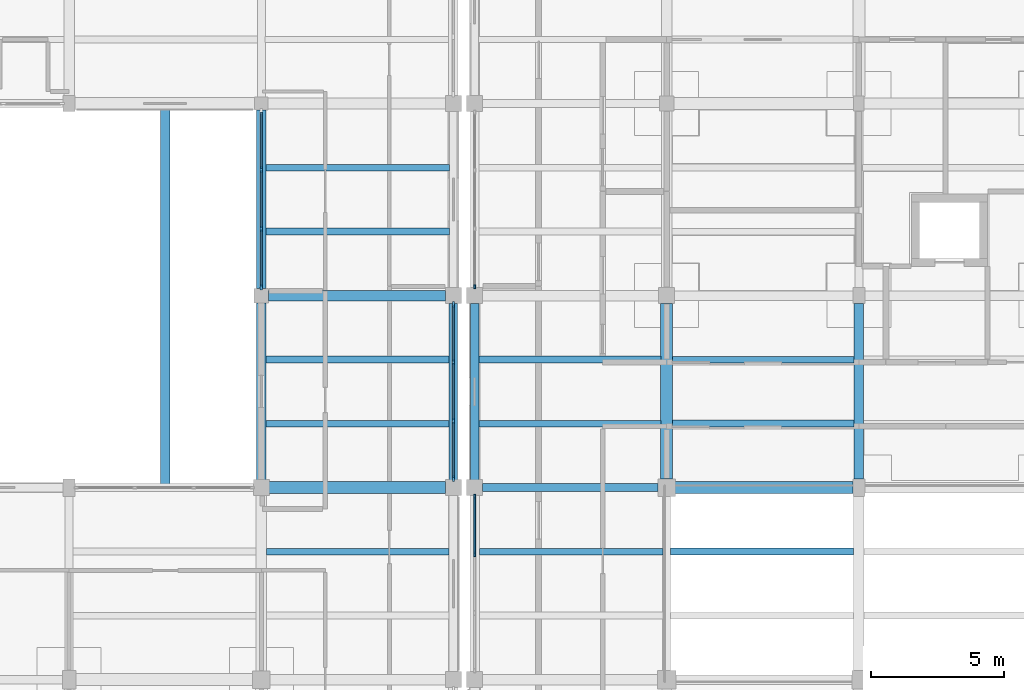
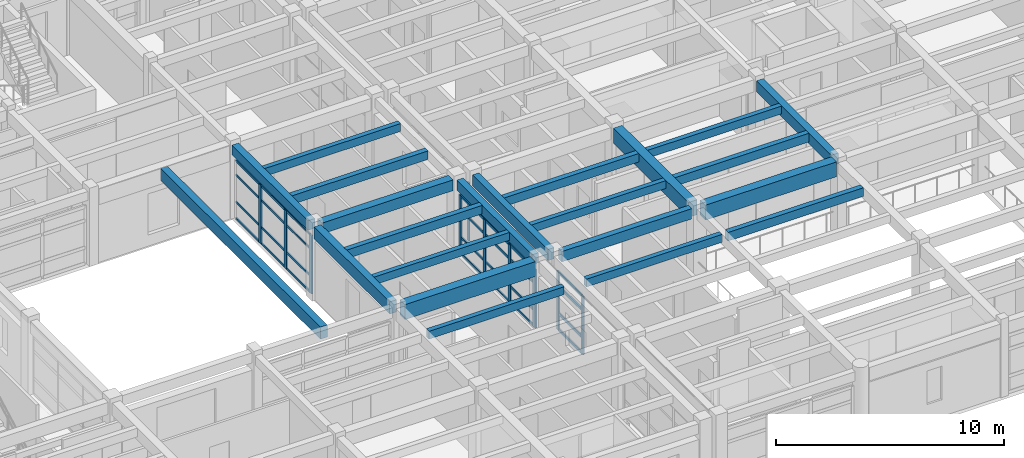
# One storey, part 39 of 110: 38 members, 22 beams, 4 elements without a shape of their own.
"""IFC4 building model written with IfcOpenShell, lengths in metres."""

from ifc_helpers import new_model, si_unit, direction, frame, origin, origin_2d, place, context, subcontext, project, spatial, rectangle, extrude, material, material_profile, profile_set, type_object, element, aggregate, save


model = new_model("IFC4")

# Units and contexts
model_context = context("Model", 3, precision=1e-05, world=origin(), true_north=direction((0.0, 1.0)))
body_context = subcontext(model_context, "Body", "Model", "MODEL_VIEW")
ifc_project = project(units=[si_unit("LENGTHUNIT", "METRE"), si_unit("AREAUNIT", "SQUARE_METRE"), si_unit("VOLUMEUNIT", "CUBIC_METRE"), si_unit("PLANEANGLEUNIT", "RADIAN"), si_unit("MASSUNIT", "GRAM", prefix="KILO")], contexts=[model_context])

# Site, building, storey
site_placement = place(None, origin())
site = spatial("IfcSite", under=ifc_project, at=site_placement, CompositionType="ELEMENT")
building_placement = place(site_placement, origin())
building = spatial("IfcBuilding", under=site, at=building_placement, Name="Steenspoor Specialist Clinic", CompositionType="ELEMENT")
storey_placement = place(building_placement, frame((0.0, 0.0, 4.800048828125)))
storey = spatial("IfcBuildingStorey", under=building, at=storey_placement, Name="L01", CompositionType="ELEMENT", Elevation=4.800048828125)

# Beams
ifc_material_1 = material(Name="Concrete C35/45", Category="concrete")
ifc_material_profile_1 = material_profile(ifc_material_1, rectangle(XDim=0.300048828125, YDim=0.550048828125, at=origin_2d()), Name="RC-BM-300X550")
ifc_profile_set_1 = profile_set([ifc_material_profile_1], Name="Concrete C35/45")
beam_type_1 = type_object("IfcBeamType", Name="BM-RC-300X550", PredefinedType="BEAM", material=ifc_profile_set_1)
beam_1_placement = place(storey_placement, frame((118.294921875, 79.550048828125, 3.675048828125), z_axis=(1.0, 0.0, 0.0), x_axis=(0.0, 1.0, 0.0)))
element("IfcBeam", 1, at=beam_1_placement, inside=storey, type_object=beam_type_1, Name="BM-V6-L01-X1488", PredefinedType="BEAM", context=body_context, shape_type="SweptSolid", body=[
    extrude(rectangle(XDim=0.300048828125, YDim=0.550048828125, at=origin_2d()), origin(), (0.0, 0.0, 1.0), 6.5849609375),
])
ifc_material_profile_2 = material_profile(ifc_material_1, rectangle(XDim=0.35009765625, YDim=0.52001953125, at=origin_2d()), Name="RC-BM-350X520")
ifc_profile_set_2 = profile_set([ifc_material_profile_2], Name="Concrete C35/45")
beam_type_2 = type_object("IfcBeamType", Name="BM-RC-350X520", PredefinedType="BEAM", material=ifc_profile_set_2)
beam_2_placement = place(storey_placement, frame((110.0, 87.02001953125, 3.68994140625), z_axis=(0.0, 1.0, 0.0), x_axis=(-1.0, 0.0, 0.0)))
element("IfcBeam", 2, at=beam_2_placement, inside=storey, type_object=beam_type_2, Name="BM-V4-L01-Y0564", PredefinedType="BEAM", context=body_context, shape_type="SweptSolid", body=[
    extrude(rectangle(XDim=0.35009765625, YDim=0.52001953125, at=origin_2d()), origin(), (0.0, 0.0, 1.0), 6.68505859375),
])
ifc_material_profile_3 = material_profile(ifc_material_1, rectangle(XDim=0.35009765625, YDim=0.580078125, at=origin_2d()), Name="RC-BM-350X580")
ifc_profile_set_3 = profile_set([ifc_material_profile_3], Name="Concrete C35/45")
beam_type_3 = type_object("IfcBeamType", Name="BM-RC-350X580", PredefinedType="BEAM", material=ifc_profile_set_3)
beam_3_placement = place(storey_placement, frame((132.39990234375, 79.8701171875, 3.659912109375), z_axis=(0.0, 1.0, 0.0), x_axis=(-1.0, 0.0, 0.0)))
element("IfcBeam", 3, at=beam_3_placement, inside=storey, type_object=beam_type_3, Name="BM-V6-L01-Y1524", PredefinedType="BEAM", context=body_context, shape_type="SweptSolid", body=[
    extrude(rectangle(XDim=0.35009765625, YDim=0.580078125, at=origin_2d()), origin(), (0.0, 0.0, 1.0), 6.5849609375),
])
ifc_material_profile_4 = material_profile(ifc_material_1, rectangle(XDim=0.35009765625, YDim=0.64990234375, at=origin_2d()), Name="RC-BM-350X650")
ifc_profile_set_4 = profile_set([ifc_material_profile_4], Name="Concrete C35/45")
beam_type_4 = type_object("IfcBeamType", Name="BM-RC-350X650", PredefinedType="BEAM", material=ifc_profile_set_4)
beam_4_placement = place(storey_placement, frame((110.0, 79.844970703125, 3.625), z_axis=(0.0, 1.0, 0.0), x_axis=(-1.0, 0.0, 0.0)))
element("IfcBeam", 4, at=beam_4_placement, inside=storey, type_object=beam_type_4, Name="BM-V4-L01-Y0563", PredefinedType="BEAM", context=body_context, shape_type="SweptSolid", body=[
    extrude(rectangle(XDim=0.35009765625, YDim=0.64990234375, at=origin_2d()), origin(), (0.0, 0.0, 1.0), 6.635009765625),
])
beam_5_placement = place(storey_placement, frame((106.39990234375, 79.695068359375, 3.625), z_axis=(0.0, 1.0, 0.0), x_axis=(-1.0, 0.0, 0.0)))
element("IfcBeam", 5, at=beam_5_placement, inside=storey, type_object=beam_type_4, Name="JT-V4-L01-0627", PredefinedType="BEAM", context=body_context, shape_type="SweptSolid", body=[
    extrude(rectangle(XDim=0.35009765625, YDim=0.64990234375, at=origin_2d()), origin(), (0.0, 0.0, 1.0), 14.034912109375),
])
ifc_material_profile_5 = material_profile(ifc_material_1, rectangle(XDim=0.39990234375, YDim=0.580078125, at=origin_2d()), Name="RC-BM-400X580")
ifc_profile_set_5 = profile_set([ifc_material_profile_5], Name="Concrete C35/45")
beam_type_5 = type_object("IfcBeamType", Name="BM-RC-400X580", PredefinedType="BEAM", material=ifc_profile_set_5)
beam_6_placement = place(storey_placement, frame((110.27001953125, 86.75, 3.659912109375), z_axis=(1.0, 0.0, 0.0), x_axis=(0.0, 1.0, 0.0)))
element("IfcBeam", 6, at=beam_6_placement, inside=storey, type_object=beam_type_5, Name="BM-V4-L01-X0496", PredefinedType="BEAM", context=body_context, shape_type="SweptSolid", body=[
    extrude(rectangle(XDim=0.39990234375, YDim=0.580078125, at=origin_2d()), origin(), (0.0, 0.0, 1.0), 6.635009765625),
])
ifc_material_profile_6 = material_profile(ifc_material_1, rectangle(XDim=0.449951171875, YDim=0.800048828125, at=origin_2d()), Name="RC-BM-450X800")
ifc_profile_set_6 = profile_set([ifc_material_profile_6], Name="Concrete C35/45")
beam_type_6 = type_object("IfcBeamType", Name="BM-RC-450X800", PredefinedType="BEAM", material=ifc_profile_set_6)
beam_7_placement = place(storey_placement, frame((110.294921875, 79.550048828125, 3.550048828125), z_axis=(1.0, 0.0, 0.0), x_axis=(0.0, 1.0, 0.0)))
element("IfcBeam", 7, at=beam_7_placement, inside=storey, type_object=beam_type_6, Name="BM-V4-L01-X0492", PredefinedType="BEAM", context=body_context, shape_type="SweptSolid", body=[
    extrude(rectangle(XDim=0.449951171875, YDim=0.800048828125, at=origin_2d()), origin(), (0.0, 0.0, 1.0), 6.610107421875),
])
beam_8_placement = place(storey_placement, frame((125.52001953125, 79.550048828125, 3.550048828125), z_axis=(1.0, 0.0, 0.0), x_axis=(0.0, 1.0, 0.0)))
element("IfcBeam", 8, at=beam_8_placement, inside=storey, type_object=beam_type_6, Name="BM-V6-L01-X1489", PredefinedType="BEAM", context=body_context, shape_type="SweptSolid", body=[
    extrude(rectangle(XDim=0.449951171875, YDim=0.800048828125, at=origin_2d()), origin(), (0.0, 0.0, 1.0), 6.659912109375),
])
beam_9_placement = place(storey_placement, frame((125.199951171875, 79.8701171875, 3.550048828125), z_axis=(0.0, 1.0, 0.0), x_axis=(-1.0, 0.0, 0.0)))
element("IfcBeam", 9, at=beam_9_placement, inside=storey, type_object=beam_type_6, Name="BM-V6-L01-Y1518", PredefinedType="BEAM", context=body_context, shape_type="SweptSolid", body=[
    extrude(rectangle(XDim=0.449951171875, YDim=0.800048828125, at=origin_2d()), origin(), (0.0, 0.0, 1.0), 6.5849609375),
])

# Curtain wall, member
ifc_material_2 = material(Name="Thermally broken aluminium and low-emissivity glass", Category="aluminium")
curtain_wall_type_1 = type_object("IfcCurtainWallType", Name="CW-TYP-660X355", PredefinedType="USERDEFINED", material=ifc_material_2)
curtain_wall_1_placement = place(storey_placement, origin())
curtain_wall_1 = element("IfcCurtainWall", 10, at=curtain_wall_1_placement, inside=storey, type_object=curtain_wall_type_1, Name="Unitised Curtain Wall CW-V6-L01-177", ObjectType="UNITISED GLAZING", PredefinedType="USERDEFINED")
ifc_material_3 = material(Name="Thermally broken aluminium 6063-T6", Category="aluminium")
ifc_material_profile_7 = material_profile(ifc_material_3, rectangle(XDim=0.06494140625, YDim=0.14990234375, at=origin_2d()), Name="CWM-65X150")
ifc_profile_set_7 = profile_set([ifc_material_profile_7], Name="Thermally broken aluminium 6063-T6")
member_type_1 = type_object("IfcMemberType", Name="CW-MULL-65X150", PredefinedType="MULLION", material=ifc_profile_set_7)
member_1_placement = place(storey_placement, frame((118.0, 87.08251953125, 0.0), z_axis=(0.0, 0.0, 1.0), x_axis=(-1.0, 0.0, 0.0)))
member_1 = element("IfcMember", 11, at=member_1_placement, type_object=member_type_1, Name="CW-09 mullion 1", PredefinedType="MULLION", context=body_context, shape_type="SweptSolid", body=[
    extrude(rectangle(XDim=0.06494140625, YDim=0.14990234375, at=origin_2d()), origin(), (0.0, 0.0, 1.0), 3.1298828125),
])
aggregate(curtain_wall_1, [member_1])

# Curtain wall, members
curtain_wall_type_2 = type_object("IfcCurtainWallType", Name="CW-L00-240X415", PredefinedType="USERDEFINED", material=ifc_material_2)
curtain_wall_2_placement = place(storey_placement, origin())
curtain_wall_2 = element("IfcCurtainWall", 12, at=curtain_wall_2_placement, inside=storey, type_object=curtain_wall_type_2, Name="Unitised Curtain Wall CW-V6-L01-176", ObjectType="UNITISED GLAZING", PredefinedType="USERDEFINED")
ifc_material_profile_8 = material_profile(ifc_material_3, rectangle(XDim=0.070068359375, YDim=0.1650390625, at=origin_2d()), Name="CWM-70X165")
ifc_profile_set_8 = profile_set([ifc_material_profile_8], Name="Thermally broken aluminium 6063-T6")
member_type_2 = type_object("IfcMemberType", Name="CW-MULL-70X165", PredefinedType="MULLION", material=ifc_profile_set_8)
member_2_placement = place(storey_placement, frame((118.0, 77.050048828125, 0.0), z_axis=(0.0, 0.0, 1.0), x_axis=(-1.0, 0.0, 0.0)))
member_2 = element("IfcMember", 13, at=member_2_placement, type_object=member_type_2, Name="CW-08 mullion 3", PredefinedType="MULLION", context=body_context, shape_type="SweptSolid", body=[
    extrude(rectangle(XDim=0.070068359375, YDim=0.1650390625, at=origin_2d()), origin(), (0.0, 0.0, 1.0), 3.1298828125),
])
member_3_placement = place(storey_placement, frame((118.0, 79.215087890625, 0.0), z_axis=(0.0, 0.0, 1.0), x_axis=(-1.0, 0.0, 0.0)))
member_3 = element("IfcMember", 14, at=member_3_placement, type_object=member_type_2, Name="CW-08 mullion 4", PredefinedType="MULLION", context=body_context, shape_type="SweptSolid", body=[
    extrude(rectangle(XDim=0.070068359375, YDim=0.1650390625, at=origin_2d()), origin(), (0.0, 0.0, 1.0), 3.1298828125),
])

curtain_wall_type_3 = type_object("IfcCurtainWallType", Name="CW-STR-220X415", PredefinedType="USERDEFINED", material=ifc_material_2)
curtain_wall_3_placement = place(storey_placement, origin())
curtain_wall_3 = element("IfcCurtainWall", 15, at=curtain_wall_3_placement, inside=storey, type_object=curtain_wall_type_3, Name="Unitised Curtain Wall CW-V4-L01-072", ObjectType="UNITISED GLAZING", PredefinedType="USERDEFINED")
ifc_material_profile_9 = material_profile(ifc_material_3, rectangle(XDim=0.080078125, YDim=0.219970703125, at=origin_2d()), Name="CWM-80X220")
ifc_profile_set_9 = profile_set([ifc_material_profile_9], Name="Thermally broken aluminium 6063-T6")
member_type_3 = type_object("IfcMemberType", Name="CW-MULL-80X220", PredefinedType="MULLION", material=ifc_profile_set_9)
member_4_placement = place(storey_placement, frame((117.199951171875, 86.409912109375, 0.0), z_axis=(0.0, 0.0, 1.0), x_axis=(1.0, 0.0, 0.0)))
member_4 = element("IfcMember", 16, at=member_4_placement, type_object=member_type_3, Name="CW-24 mullion 1", PredefinedType="MULLION", context=body_context, shape_type="SweptSolid", body=[
    extrude(rectangle(XDim=0.080078125, YDim=0.219970703125, at=origin_2d()), origin(), (0.0, 0.0, 1.0), 3.1298828125),
])
member_5_placement = place(storey_placement, frame((117.199951171875, 84.25, 0.0), z_axis=(0.0, 0.0, 1.0), x_axis=(1.0, 0.0, 0.0)))
member_5 = element("IfcMember", 17, at=member_5_placement, type_object=member_type_3, Name="CW-24 mullion 2", PredefinedType="MULLION", context=body_context, shape_type="SweptSolid", body=[
    extrude(rectangle(XDim=0.080078125, YDim=0.219970703125, at=origin_2d()), origin(), (0.0, 0.0, 1.0), 3.1298828125),
])
member_6_placement = place(storey_placement, frame((117.199951171875, 82.050048828125, 0.0), z_axis=(0.0, 0.0, 1.0), x_axis=(1.0, 0.0, 0.0)))
member_6 = element("IfcMember", 18, at=member_6_placement, type_object=member_type_3, Name="CW-24 mullion 3", PredefinedType="MULLION", context=body_context, shape_type="SweptSolid", body=[
    extrude(rectangle(XDim=0.080078125, YDim=0.219970703125, at=origin_2d()), origin(), (0.0, 0.0, 1.0), 3.1298828125),
])
member_7_placement = place(storey_placement, frame((117.199951171875, 79.889892578125, 0.0), z_axis=(0.0, 0.0, 1.0), x_axis=(1.0, 0.0, 0.0)))
member_7 = element("IfcMember", 19, at=member_7_placement, type_object=member_type_3, Name="CW-24 mullion 4", PredefinedType="MULLION", context=body_context, shape_type="SweptSolid", body=[
    extrude(rectangle(XDim=0.080078125, YDim=0.219970703125, at=origin_2d()), origin(), (0.0, 0.0, 1.0), 3.1298828125),
])

curtain_wall_type_4 = type_object("IfcCurtainWallType", Name="CW-L00-480X415", PredefinedType="USERDEFINED", material=ifc_material_2)
curtain_wall_4_placement = place(storey_placement, origin())
curtain_wall_4 = element("IfcCurtainWall", 20, at=curtain_wall_4_placement, inside=storey, type_object=curtain_wall_type_4, Name="Unitised Curtain Wall CW-V4-L01-078", ObjectType="UNITISED GLAZING", PredefinedType="USERDEFINED")
member_8_placement = place(storey_placement, frame((110.0, 87.06494140625, 0.0), z_axis=(0.0, 0.0, 1.0), x_axis=(-1.0, 0.0, 0.0)))
member_8 = element("IfcMember", 21, at=member_8_placement, type_object=member_type_3, Name="CW-06 mullion 1", PredefinedType="MULLION", context=body_context, shape_type="SweptSolid", body=[
    extrude(rectangle(XDim=0.080078125, YDim=0.219970703125, at=origin_2d()), origin(), (0.0, 0.0, 1.0), 3.1298828125),
])
member_9_placement = place(storey_placement, frame((110.0, 89.25, 0.0), z_axis=(0.0, 0.0, 1.0), x_axis=(-1.0, 0.0, 0.0)))
member_9 = element("IfcMember", 22, at=member_9_placement, type_object=member_type_3, Name="CW-06 mullion 2", PredefinedType="MULLION", context=body_context, shape_type="SweptSolid", body=[
    extrude(rectangle(XDim=0.080078125, YDim=0.219970703125, at=origin_2d()), origin(), (0.0, 0.0, 1.0), 3.1298828125),
])
member_10_placement = place(storey_placement, frame((110.0, 91.47509765625, 0.0), z_axis=(0.0, 0.0, 1.0), x_axis=(-1.0, 0.0, 0.0)))
member_10 = element("IfcMember", 23, at=member_10_placement, type_object=member_type_3, Name="CW-06 mullion 3", PredefinedType="MULLION", context=body_context, shape_type="SweptSolid", body=[
    extrude(rectangle(XDim=0.080078125, YDim=0.219970703125, at=origin_2d()), origin(), (0.0, 0.0, 1.0), 3.1298828125),
])
ifc_material_profile_10 = material_profile(ifc_material_3, rectangle(XDim=0.06005859375, YDim=0.114990234375, at=origin_2d()), Name="CWT-60X115")
ifc_profile_set_10 = profile_set([ifc_material_profile_10], Name="Thermally broken aluminium 6063-T6")
member_type_4 = type_object("IfcMemberType", Name="CW-TRAN-60X115", PredefinedType="USERDEFINED", material=ifc_profile_set_10)
member_11_placement = place(storey_placement, frame((110.0, 87.10498046875, 0.030029296875), z_axis=(0.0, 1.0, 0.0), x_axis=(-1.0, 0.0, 0.0)))
member_11 = element("IfcMember", 24, at=member_11_placement, type_object=member_type_4, Name="CW-06 transom 1.1", ObjectType="TRANSOM", PredefinedType="USERDEFINED", context=body_context, shape_type="SweptSolid", body=[
    extrude(rectangle(XDim=0.06005859375, YDim=0.114990234375, at=origin_2d()), origin(), (0.0, 0.0, 1.0), 2.10498046875),
])
member_12_placement = place(storey_placement, frame((110.0, 87.10498046875, 0.89990234375), z_axis=(0.0, 1.0, 0.0), x_axis=(-1.0, 0.0, 0.0)))
member_12 = element("IfcMember", 25, at=member_12_placement, type_object=member_type_4, Name="CW-06 transom 1.2", ObjectType="TRANSOM", PredefinedType="USERDEFINED", context=body_context, shape_type="SweptSolid", body=[
    extrude(rectangle(XDim=0.06005859375, YDim=0.114990234375, at=origin_2d()), origin(), (0.0, 0.0, 1.0), 2.10498046875),
])
member_13_placement = place(storey_placement, frame((110.0, 87.10498046875, 2.349853515625), z_axis=(0.0, 1.0, 0.0), x_axis=(-1.0, 0.0, 0.0)))
member_13 = element("IfcMember", 26, at=member_13_placement, type_object=member_type_4, Name="CW-06 transom 1.3", ObjectType="TRANSOM", PredefinedType="USERDEFINED", context=body_context, shape_type="SweptSolid", body=[
    extrude(rectangle(XDim=0.06005859375, YDim=0.114990234375, at=origin_2d()), origin(), (0.0, 0.0, 1.0), 2.10498046875),
])
member_14_placement = place(storey_placement, frame((110.0, 87.10498046875, 3.099853515625), z_axis=(0.0, 1.0, 0.0), x_axis=(-1.0, 0.0, 0.0)))
member_14 = element("IfcMember", 27, at=member_14_placement, type_object=member_type_4, Name="CW-06 transom 1.4", ObjectType="TRANSOM", PredefinedType="USERDEFINED", context=body_context, shape_type="SweptSolid", body=[
    extrude(rectangle(XDim=0.06005859375, YDim=0.114990234375, at=origin_2d()), origin(), (0.0, 0.0, 1.0), 2.10498046875),
])
member_15_placement = place(storey_placement, frame((110.0, 89.2900390625, 0.030029296875), z_axis=(0.0, 1.0, 0.0), x_axis=(-1.0, 0.0, 0.0)))
member_15 = element("IfcMember", 28, at=member_15_placement, type_object=member_type_4, Name="CW-06 transom 2.1", ObjectType="TRANSOM", PredefinedType="USERDEFINED", context=body_context, shape_type="SweptSolid", body=[
    extrude(rectangle(XDim=0.06005859375, YDim=0.114990234375, at=origin_2d()), origin(), (0.0, 0.0, 1.0), 2.14501953125),
])
member_16_placement = place(storey_placement, frame((110.0, 89.2900390625, 0.89990234375), z_axis=(0.0, 1.0, 0.0), x_axis=(-1.0, 0.0, 0.0)))
member_16 = element("IfcMember", 29, at=member_16_placement, type_object=member_type_4, Name="CW-06 transom 2.2", ObjectType="TRANSOM", PredefinedType="USERDEFINED", context=body_context, shape_type="SweptSolid", body=[
    extrude(rectangle(XDim=0.06005859375, YDim=0.114990234375, at=origin_2d()), origin(), (0.0, 0.0, 1.0), 2.14501953125),
])
member_17_placement = place(storey_placement, frame((110.0, 89.2900390625, 2.349853515625), z_axis=(0.0, 1.0, 0.0), x_axis=(-1.0, 0.0, 0.0)))
member_17 = element("IfcMember", 30, at=member_17_placement, type_object=member_type_4, Name="CW-06 transom 2.3", ObjectType="TRANSOM", PredefinedType="USERDEFINED", context=body_context, shape_type="SweptSolid", body=[
    extrude(rectangle(XDim=0.06005859375, YDim=0.114990234375, at=origin_2d()), origin(), (0.0, 0.0, 1.0), 2.14501953125),
])
member_18_placement = place(storey_placement, frame((110.0, 89.2900390625, 3.099853515625), z_axis=(0.0, 1.0, 0.0), x_axis=(-1.0, 0.0, 0.0)))
member_18 = element("IfcMember", 31, at=member_18_placement, type_object=member_type_4, Name="CW-06 transom 2.4", ObjectType="TRANSOM", PredefinedType="USERDEFINED", context=body_context, shape_type="SweptSolid", body=[
    extrude(rectangle(XDim=0.06005859375, YDim=0.114990234375, at=origin_2d()), origin(), (0.0, 0.0, 1.0), 2.14501953125),
])
member_19_placement = place(storey_placement, frame((110.0, 91.514892578125, 0.030029296875), z_axis=(0.0, 1.0, 0.0), x_axis=(-1.0, 0.0, 0.0)))
member_19 = element("IfcMember", 32, at=member_19_placement, type_object=member_type_4, Name="CW-06 transom 3.1", ObjectType="TRANSOM", PredefinedType="USERDEFINED", context=body_context, shape_type="SweptSolid", body=[
    extrude(rectangle(XDim=0.06005859375, YDim=0.114990234375, at=origin_2d()), origin(), (0.0, 0.0, 1.0), 2.105224609375),
])
member_20_placement = place(storey_placement, frame((110.0, 91.514892578125, 0.89990234375), z_axis=(0.0, 1.0, 0.0), x_axis=(-1.0, 0.0, 0.0)))
member_20 = element("IfcMember", 33, at=member_20_placement, type_object=member_type_4, Name="CW-06 transom 3.2", ObjectType="TRANSOM", PredefinedType="USERDEFINED", context=body_context, shape_type="SweptSolid", body=[
    extrude(rectangle(XDim=0.06005859375, YDim=0.114990234375, at=origin_2d()), origin(), (0.0, 0.0, 1.0), 2.105224609375),
])
member_21_placement = place(storey_placement, frame((110.0, 91.514892578125, 2.349853515625), z_axis=(0.0, 1.0, 0.0), x_axis=(-1.0, 0.0, 0.0)))
member_21 = element("IfcMember", 34, at=member_21_placement, type_object=member_type_4, Name="CW-06 transom 3.3", ObjectType="TRANSOM", PredefinedType="USERDEFINED", context=body_context, shape_type="SweptSolid", body=[
    extrude(rectangle(XDim=0.06005859375, YDim=0.114990234375, at=origin_2d()), origin(), (0.0, 0.0, 1.0), 2.105224609375),
])
member_22_placement = place(storey_placement, frame((110.0, 91.514892578125, 3.099853515625), z_axis=(0.0, 1.0, 0.0), x_axis=(-1.0, 0.0, 0.0)))
member_22 = element("IfcMember", 35, at=member_22_placement, type_object=member_type_4, Name="CW-06 transom 3.4", ObjectType="TRANSOM", PredefinedType="USERDEFINED", context=body_context, shape_type="SweptSolid", body=[
    extrude(rectangle(XDim=0.06005859375, YDim=0.114990234375, at=origin_2d()), origin(), (0.0, 0.0, 1.0), 2.105224609375),
])
aggregate(curtain_wall_4, [member_8, member_9, member_10, member_11, member_12, member_13, member_14, member_15, member_16, member_17, member_18, member_19, member_20, member_21, member_22])

# Member
ifc_material_profile_11 = material_profile(ifc_material_3, rectangle(XDim=0.06494140625, YDim=0.1298828125, at=origin_2d()), Name="CWT-65X130")
ifc_profile_set_11 = profile_set([ifc_material_profile_11], Name="Thermally broken aluminium 6063-T6")
member_type_5 = type_object("IfcMemberType", Name="CW-TRAN-65X130", PredefinedType="USERDEFINED", material=ifc_profile_set_11)
member_23_placement = place(storey_placement, frame((117.199951171875, 86.3701171875, 0.032470703125), z_axis=(0.0, -1.0, 0.0), x_axis=(1.0, 0.0, 0.0)))
member_23 = element("IfcMember", 36, at=member_23_placement, type_object=member_type_5, Name="CW-24 transom 1.1", ObjectType="TRANSOM", PredefinedType="USERDEFINED", context=body_context, shape_type="SweptSolid", body=[
    extrude(rectangle(XDim=0.06494140625, YDim=0.1298828125, at=origin_2d()), origin(), (0.0, 0.0, 1.0), 2.080078125),
])

member_24_placement = place(storey_placement, frame((117.199951171875, 86.3701171875, 0.89990234375), z_axis=(0.0, -1.0, 0.0), x_axis=(1.0, 0.0, 0.0)))
member_24 = element("IfcMember", 37, at=member_24_placement, type_object=member_type_5, Name="CW-24 transom 1.2", ObjectType="TRANSOM", PredefinedType="USERDEFINED", context=body_context, shape_type="SweptSolid", body=[
    extrude(rectangle(XDim=0.06494140625, YDim=0.1298828125, at=origin_2d()), origin(), (0.0, 0.0, 1.0), 2.080078125),
])

member_25_placement = place(storey_placement, frame((117.199951171875, 86.3701171875, 2.349853515625), z_axis=(0.0, -1.0, 0.0), x_axis=(1.0, 0.0, 0.0)))
member_25 = element("IfcMember", 38, at=member_25_placement, type_object=member_type_5, Name="CW-24 transom 1.3", ObjectType="TRANSOM", PredefinedType="USERDEFINED", context=body_context, shape_type="SweptSolid", body=[
    extrude(rectangle(XDim=0.06494140625, YDim=0.1298828125, at=origin_2d()), origin(), (0.0, 0.0, 1.0), 2.080078125),
])

member_26_placement = place(storey_placement, frame((117.199951171875, 86.3701171875, 3.097412109375), z_axis=(0.0, -1.0, 0.0), x_axis=(1.0, 0.0, 0.0)))
member_26 = element("IfcMember", 39, at=member_26_placement, type_object=member_type_5, Name="CW-24 transom 1.4", ObjectType="TRANSOM", PredefinedType="USERDEFINED", context=body_context, shape_type="SweptSolid", body=[
    extrude(rectangle(XDim=0.06494140625, YDim=0.1298828125, at=origin_2d()), origin(), (0.0, 0.0, 1.0), 2.080078125),
])

member_27_placement = place(storey_placement, frame((117.199951171875, 84.2099609375, 0.032470703125), z_axis=(0.0, -1.0, 0.0), x_axis=(1.0, 0.0, 0.0)))
member_27 = element("IfcMember", 40, at=member_27_placement, type_object=member_type_5, Name="CW-24 transom 2.1", ObjectType="TRANSOM", PredefinedType="USERDEFINED", context=body_context, shape_type="SweptSolid", body=[
    extrude(rectangle(XDim=0.06494140625, YDim=0.1298828125, at=origin_2d()), origin(), (0.0, 0.0, 1.0), 2.119873046875),
])

member_28_placement = place(storey_placement, frame((117.199951171875, 84.2099609375, 0.89990234375), z_axis=(0.0, -1.0, 0.0), x_axis=(1.0, 0.0, 0.0)))
member_28 = element("IfcMember", 41, at=member_28_placement, type_object=member_type_5, Name="CW-24 transom 2.2", ObjectType="TRANSOM", PredefinedType="USERDEFINED", context=body_context, shape_type="SweptSolid", body=[
    extrude(rectangle(XDim=0.06494140625, YDim=0.1298828125, at=origin_2d()), origin(), (0.0, 0.0, 1.0), 2.119873046875),
])

member_29_placement = place(storey_placement, frame((117.199951171875, 84.2099609375, 2.349853515625), z_axis=(0.0, -1.0, 0.0), x_axis=(1.0, 0.0, 0.0)))
member_29 = element("IfcMember", 42, at=member_29_placement, type_object=member_type_5, Name="CW-24 transom 2.3", ObjectType="TRANSOM", PredefinedType="USERDEFINED", context=body_context, shape_type="SweptSolid", body=[
    extrude(rectangle(XDim=0.06494140625, YDim=0.1298828125, at=origin_2d()), origin(), (0.0, 0.0, 1.0), 2.119873046875),
])

member_30_placement = place(storey_placement, frame((117.199951171875, 84.2099609375, 3.097412109375), z_axis=(0.0, -1.0, 0.0), x_axis=(1.0, 0.0, 0.0)))
member_30 = element("IfcMember", 43, at=member_30_placement, type_object=member_type_5, Name="CW-24 transom 2.4", ObjectType="TRANSOM", PredefinedType="USERDEFINED", context=body_context, shape_type="SweptSolid", body=[
    extrude(rectangle(XDim=0.06494140625, YDim=0.1298828125, at=origin_2d()), origin(), (0.0, 0.0, 1.0), 2.119873046875),
])

member_31_placement = place(storey_placement, frame((117.199951171875, 82.010009765625, 0.032470703125), z_axis=(0.0, -1.0, 0.0), x_axis=(1.0, 0.0, 0.0)))
member_31 = element("IfcMember", 44, at=member_31_placement, type_object=member_type_5, Name="CW-24 transom 3.1", ObjectType="TRANSOM", PredefinedType="USERDEFINED", context=body_context, shape_type="SweptSolid", body=[
    extrude(rectangle(XDim=0.06494140625, YDim=0.1298828125, at=origin_2d()), origin(), (0.0, 0.0, 1.0), 2.080078125),
])

member_32_placement = place(storey_placement, frame((117.199951171875, 82.010009765625, 0.89990234375), z_axis=(0.0, -1.0, 0.0), x_axis=(1.0, 0.0, 0.0)))
member_32 = element("IfcMember", 45, at=member_32_placement, type_object=member_type_5, Name="CW-24 transom 3.2", ObjectType="TRANSOM", PredefinedType="USERDEFINED", context=body_context, shape_type="SweptSolid", body=[
    extrude(rectangle(XDim=0.06494140625, YDim=0.1298828125, at=origin_2d()), origin(), (0.0, 0.0, 1.0), 2.080078125),
])

member_33_placement = place(storey_placement, frame((117.199951171875, 82.010009765625, 2.349853515625), z_axis=(0.0, -1.0, 0.0), x_axis=(1.0, 0.0, 0.0)))
member_33 = element("IfcMember", 46, at=member_33_placement, type_object=member_type_5, Name="CW-24 transom 3.3", ObjectType="TRANSOM", PredefinedType="USERDEFINED", context=body_context, shape_type="SweptSolid", body=[
    extrude(rectangle(XDim=0.06494140625, YDim=0.1298828125, at=origin_2d()), origin(), (0.0, 0.0, 1.0), 2.080078125),
])

member_34_placement = place(storey_placement, frame((117.199951171875, 82.010009765625, 3.097412109375), z_axis=(0.0, -1.0, 0.0), x_axis=(1.0, 0.0, 0.0)))
member_34 = element("IfcMember", 47, at=member_34_placement, type_object=member_type_5, Name="CW-24 transom 3.4", ObjectType="TRANSOM", PredefinedType="USERDEFINED", context=body_context, shape_type="SweptSolid", body=[
    extrude(rectangle(XDim=0.06494140625, YDim=0.1298828125, at=origin_2d()), origin(), (0.0, 0.0, 1.0), 2.080078125),
])

aggregate(curtain_wall_3, [member_4, member_5, member_6, member_7, member_23, member_24, member_25, member_26, member_27, member_28, member_29, member_30, member_31, member_32, member_33, member_34])

ifc_material_profile_12 = material_profile(ifc_material_3, rectangle(XDim=0.070068359375, YDim=0.14501953125, at=origin_2d()), Name="CWT-70X145")
ifc_profile_set_12 = profile_set([ifc_material_profile_12], Name="Thermally broken aluminium 6063-T6")
member_type_6 = type_object("IfcMemberType", Name="CW-TRAN-70X145", PredefinedType="USERDEFINED", material=ifc_profile_set_12)
member_35_placement = place(storey_placement, frame((118.0, 77.0849609375, 0.034912109375), z_axis=(0.0, 1.0, 0.0), x_axis=(-1.0, 0.0, 0.0)))
member_35 = element("IfcMember", 48, at=member_35_placement, type_object=member_type_6, Name="CW-08 transom 3.1", ObjectType="TRANSOM", PredefinedType="USERDEFINED", context=body_context, shape_type="SweptSolid", body=[
    extrude(rectangle(XDim=0.070068359375, YDim=0.14501953125, at=origin_2d()), origin(), (0.0, 0.0, 1.0), 2.094970703125),
])

member_36_placement = place(storey_placement, frame((118.0, 77.0849609375, 0.89990234375), z_axis=(0.0, 1.0, 0.0), x_axis=(-1.0, 0.0, 0.0)))
member_36 = element("IfcMember", 49, at=member_36_placement, type_object=member_type_6, Name="CW-08 transom 3.2", ObjectType="TRANSOM", PredefinedType="USERDEFINED", context=body_context, shape_type="SweptSolid", body=[
    extrude(rectangle(XDim=0.070068359375, YDim=0.14501953125, at=origin_2d()), origin(), (0.0, 0.0, 1.0), 2.094970703125),
])

member_37_placement = place(storey_placement, frame((118.0, 77.0849609375, 2.349853515625), z_axis=(0.0, 1.0, 0.0), x_axis=(-1.0, 0.0, 0.0)))
member_37 = element("IfcMember", 50, at=member_37_placement, type_object=member_type_6, Name="CW-08 transom 3.3", ObjectType="TRANSOM", PredefinedType="USERDEFINED", context=body_context, shape_type="SweptSolid", body=[
    extrude(rectangle(XDim=0.070068359375, YDim=0.14501953125, at=origin_2d()), origin(), (0.0, 0.0, 1.0), 2.094970703125),
])

member_38_placement = place(storey_placement, frame((118.0, 77.0849609375, 3.094970703125), z_axis=(0.0, 1.0, 0.0), x_axis=(-1.0, 0.0, 0.0)))
member_38 = element("IfcMember", 51, at=member_38_placement, type_object=member_type_6, Name="CW-08 transom 3.4", ObjectType="TRANSOM", PredefinedType="USERDEFINED", context=body_context, shape_type="SweptSolid", body=[
    extrude(rectangle(XDim=0.070068359375, YDim=0.14501953125, at=origin_2d()), origin(), (0.0, 0.0, 1.0), 2.094970703125),
])

aggregate(curtain_wall_2, [member_2, member_3, member_35, member_36, member_37, member_38])

# Beams
ifc_material_profile_13 = material_profile(ifc_material_1, rectangle(XDim=0.239990234375, YDim=0.419921875, at=origin_2d()), Name="RC-JT-240X420")
ifc_profile_set_13 = profile_set([ifc_material_profile_13], Name="Concrete C35/45")
beam_type_7 = type_object("IfcBeamType", Name="JT-RC-240X420", PredefinedType="JOIST", material=ifc_profile_set_13)
beam_10_placement = place(storey_placement, frame((110.195068359375, 77.14990234375, 3.739990234375), z_axis=(1.0, 0.0, 0.0), x_axis=(0.0, 1.0, 0.0)))
element("IfcBeam", 52, at=beam_10_placement, inside=storey, type_object=beam_type_7, Name="JT-V4-L01-0633", PredefinedType="JOIST", context=body_context, shape_type="SweptSolid", body=[
    extrude(rectangle(XDim=0.239990234375, YDim=0.419921875, at=origin_2d()), origin(), (0.0, 0.0, 1.0), 6.849853515625),
])
beam_11_placement = place(storey_placement, frame((110.169921875, 81.949951171875, 3.739990234375), z_axis=(1.0, 0.0, 0.0), x_axis=(0.0, 1.0, 0.0)))
element("IfcBeam", 53, at=beam_11_placement, inside=storey, type_object=beam_type_7, Name="JT-V4-L01-0634", PredefinedType="JOIST", context=body_context, shape_type="SweptSolid", body=[
    extrude(rectangle(XDim=0.239990234375, YDim=0.419921875, at=origin_2d()), origin(), (0.0, 0.0, 1.0), 6.875),
])
beam_12_placement = place(storey_placement, frame((110.169921875, 91.550048828125, 3.739990234375), z_axis=(1.0, 0.0, 0.0), x_axis=(0.0, 1.0, 0.0)))
element("IfcBeam", 54, at=beam_12_placement, inside=storey, type_object=beam_type_7, Name="JT-V4-L01-0637", PredefinedType="JOIST", context=body_context, shape_type="SweptSolid", body=[
    extrude(rectangle(XDim=0.239990234375, YDim=0.419921875, at=origin_2d()), origin(), (0.0, 0.0, 1.0), 6.89501953125),
])
beam_13_placement = place(storey_placement, frame((118.175048828125, 77.14990234375, 3.739990234375), z_axis=(1.0, 0.0, 0.0), x_axis=(0.0, 1.0, 0.0)))
element("IfcBeam", 55, at=beam_13_placement, inside=storey, type_object=beam_type_7, Name="JT-V6-L01-1547", PredefinedType="JOIST", context=body_context, shape_type="SweptSolid", body=[
    extrude(rectangle(XDim=0.239990234375, YDim=0.419921875, at=origin_2d()), origin(), (0.0, 0.0, 1.0), 6.8798828125),
])
beam_14_placement = place(storey_placement, frame((118.155029296875, 81.949951171875, 3.739990234375), z_axis=(1.0, 0.0, 0.0), x_axis=(0.0, 1.0, 0.0)))
element("IfcBeam", 56, at=beam_14_placement, inside=storey, type_object=beam_type_7, Name="JT-V6-L01-1548", PredefinedType="JOIST", context=body_context, shape_type="SweptSolid", body=[
    extrude(rectangle(XDim=0.239990234375, YDim=0.419921875, at=origin_2d()), origin(), (0.0, 0.0, 1.0), 6.824951171875),
])
beam_15_placement = place(storey_placement, frame((125.419921875, 84.35009765625, 3.739990234375), z_axis=(1.0, 0.0, 0.0), x_axis=(0.0, 1.0, 0.0)))
element("IfcBeam", 57, at=beam_15_placement, inside=storey, type_object=beam_type_7, Name="JT-V6-L01-1561", PredefinedType="JOIST", context=body_context, shape_type="SweptSolid", body=[
    extrude(rectangle(XDim=0.239990234375, YDim=0.419921875, at=origin_2d()), origin(), (0.0, 0.0, 1.0), 6.81005859375),
])
ifc_material_profile_14 = material_profile(ifc_material_1, rectangle(XDim=0.260009765625, YDim=0.4599609375, at=origin_2d()), Name="RC-JT-260X460")
ifc_profile_set_14 = profile_set([ifc_material_profile_14], Name="Concrete C35/45")
beam_type_8 = type_object("IfcBeamType", Name="JT-RC-260X460", PredefinedType="JOIST", material=ifc_profile_set_14)
beam_16_placement = place(storey_placement, frame((110.169921875, 84.35009765625, 3.719970703125), z_axis=(1.0, 0.0, 0.0), x_axis=(0.0, 1.0, 0.0)))
element("IfcBeam", 58, at=beam_16_placement, inside=storey, type_object=beam_type_8, Name="JT-V4-L01-0635", PredefinedType="JOIST", context=body_context, shape_type="SweptSolid", body=[
    extrude(rectangle(XDim=0.260009765625, YDim=0.4599609375, at=origin_2d()), origin(), (0.0, 0.0, 1.0), 6.875),
])
beam_17_placement = place(storey_placement, frame((110.169921875, 89.14990234375, 3.719970703125), z_axis=(1.0, 0.0, 0.0), x_axis=(0.0, 1.0, 0.0)))
element("IfcBeam", 59, at=beam_17_placement, inside=storey, type_object=beam_type_8, Name="JT-V4-L01-0636", PredefinedType="JOIST", context=body_context, shape_type="SweptSolid", body=[
    extrude(rectangle(XDim=0.260009765625, YDim=0.4599609375, at=origin_2d()), origin(), (0.0, 0.0, 1.0), 6.89501953125),
])
beam_18_placement = place(storey_placement, frame((118.155029296875, 84.35009765625, 3.719970703125), z_axis=(1.0, 0.0, 0.0), x_axis=(0.0, 1.0, 0.0)))
element("IfcBeam", 60, at=beam_18_placement, inside=storey, type_object=beam_type_8, Name="JT-V6-L01-1549", PredefinedType="JOIST", context=body_context, shape_type="SweptSolid", body=[
    extrude(rectangle(XDim=0.260009765625, YDim=0.4599609375, at=origin_2d()), origin(), (0.0, 0.0, 1.0), 6.824951171875),
])
beam_19_placement = place(storey_placement, frame((125.344970703125, 77.14990234375, 3.719970703125), z_axis=(1.0, 0.0, 0.0), x_axis=(0.0, 1.0, 0.0)))
element("IfcBeam", 61, at=beam_19_placement, inside=storey, type_object=beam_type_8, Name="JT-V6-L01-1559", PredefinedType="JOIST", context=body_context, shape_type="SweptSolid", body=[
    extrude(rectangle(XDim=0.260009765625, YDim=0.4599609375, at=origin_2d()), origin(), (0.0, 0.0, 1.0), 6.860107421875),
])
beam_20_placement = place(storey_placement, frame((125.419921875, 81.949951171875, 3.719970703125), z_axis=(1.0, 0.0, 0.0), x_axis=(0.0, 1.0, 0.0)))
element("IfcBeam", 62, at=beam_20_placement, inside=storey, type_object=beam_type_8, Name="JT-V6-L01-1560", PredefinedType="JOIST", context=body_context, shape_type="SweptSolid", body=[
    extrude(rectangle(XDim=0.260009765625, YDim=0.4599609375, at=origin_2d()), origin(), (0.0, 0.0, 1.0), 6.81005859375),
])
ifc_material_profile_15 = material_profile(ifc_material_1, rectangle(XDim=0.320068359375, YDim=0.5400390625, at=origin_2d()), Name="RC-SP-320X540")
ifc_profile_set_15 = profile_set([ifc_material_profile_15], Name="Concrete C35/45")
beam_type_9 = type_object("IfcBeamType", Name="SP-RC-320X540", PredefinedType="SPANDREL", material=ifc_profile_set_15)
beam_21_placement = place(storey_placement, frame((117.199951171875, 79.844970703125, 3.679931640625), z_axis=(0.0, 1.0, 0.0), x_axis=(-1.0, 0.0, 0.0)))
element("IfcBeam", 63, at=beam_21_placement, inside=storey, type_object=beam_type_9, Name="BM-V4-L01-Y0569", PredefinedType="SPANDREL", context=body_context, shape_type="SweptSolid", body=[
    extrude(rectangle(XDim=0.320068359375, YDim=0.5400390625, at=origin_2d()), origin(), (0.0, 0.0, 1.0), 6.610107421875),
])
ifc_material_profile_16 = material_profile(ifc_material_1, rectangle(XDim=0.320068359375, YDim=0.60009765625, at=origin_2d()), Name="RC-SP-320X600")
ifc_profile_set_16 = profile_set([ifc_material_profile_16], Name="Concrete C35/45")
beam_type_10 = type_object("IfcBeamType", Name="SP-RC-320X600", PredefinedType="SPANDREL", material=ifc_profile_set_16)
beam_22_placement = place(storey_placement, frame((118.0, 79.844970703125, 3.64990234375), z_axis=(0.0, 1.0, 0.0), x_axis=(-1.0, 0.0, 0.0)))
element("IfcBeam", 64, at=beam_22_placement, inside=storey, type_object=beam_type_10, Name="BM-V6-L01-Y1512", PredefinedType="SPANDREL", context=body_context, shape_type="SweptSolid", body=[
    extrude(rectangle(XDim=0.320068359375, YDim=0.60009765625, at=origin_2d()), origin(), (0.0, 0.0, 1.0), 6.610107421875),
])

save(model, "model.ifc")
